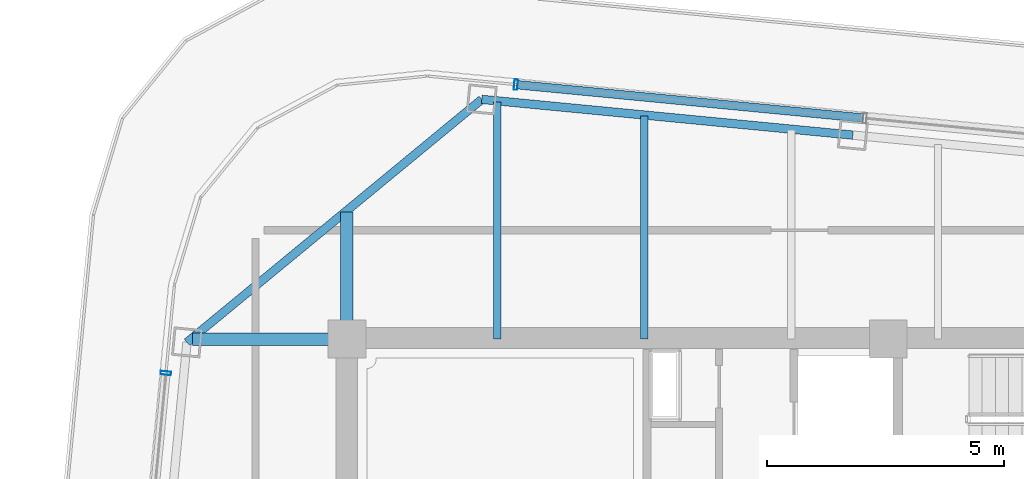
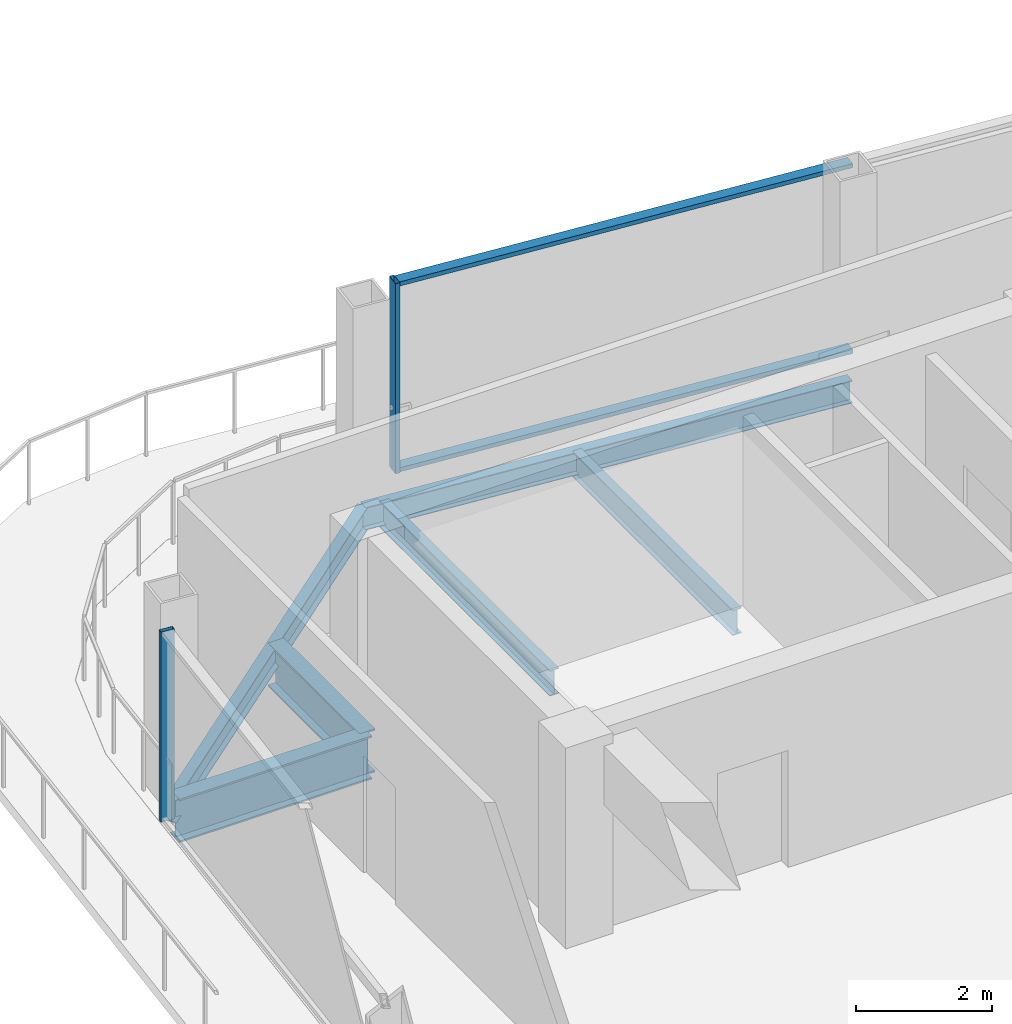
# One storey, part 11 of 23: 6 beams, 4 members, 2 elements without a shape of their own.
"""IFC4 building model written with IfcOpenShell, lengths in metres."""

from ifc_helpers import new_model, si_unit, direction, frame, origin, origin_2d, place, context, subcontext, project, spatial, hollow_rectangle, i_section, extrude, material, layer, layer_set, material_profile, profile_set, type_object, element, aggregate, save


model = new_model("IFC4")

# Units and contexts
model_context = context("Model", 3, precision=1e-05, world=origin(), true_north=direction((0.0, 1.0)))
body_context = subcontext(model_context, "Body", "Model", "MODEL_VIEW")
ifc_project = project(units=[si_unit("LENGTHUNIT", "METRE"), si_unit("AREAUNIT", "SQUARE_METRE"), si_unit("VOLUMEUNIT", "CUBIC_METRE"), si_unit("PLANEANGLEUNIT", "RADIAN"), si_unit("MASSUNIT", "GRAM", prefix="KILO")], contexts=[model_context])

# Site, building, storey
site_placement = place(None, origin())
site = spatial("IfcSite", under=ifc_project, at=site_placement, CompositionType="ELEMENT")
building_placement = place(site_placement, origin())
building = spatial("IfcBuilding", under=site, at=building_placement, Name="Qhalaya Broadcast Tower", CompositionType="ELEMENT")
storey_placement = place(building_placement, frame((0.0, 0.0, 276.949951171875)))
storey = spatial("IfcBuildingStorey", under=building, at=storey_placement, Name="L82", CompositionType="ELEMENT", Elevation=276.949951171875)

# Beams
ifc_material_1 = material(Name="Structural Steel ASTM A992 Grade 50", Category="steel")
ifc_material_profile_1 = material_profile(ifc_material_1, i_section(OverallWidth=0.154052734375, OverallDepth=0.458984375, WebThickness=0.009033203125, FlangeThickness=0.015380859375, at=origin_2d()), Name="W18X46")
ifc_profile_set_1 = profile_set([ifc_material_profile_1], Name="Structural Steel ASTM A992 Grade 50")
beam_type_1 = type_object("IfcBeamType", Name="Composite Floor Joist J04", PredefinedType="JOIST", material=ifc_profile_set_1)
beam_1_placement = place(storey_placement, frame((-6.199951171875, 9.949951171875, -0.41943359375), z_axis=(0.0, 1.0, 0.0), x_axis=(-1.0, 0.0, 0.0)))
element("IfcBeam", 1, at=beam_1_placement, inside=storey, type_object=beam_type_1, Name="L82 J04 L82-JNN1-1", PredefinedType="JOIST", context=body_context, shape_type="SweptSolid", body=[
    extrude(i_section(OverallWidth=0.154052734375, OverallDepth=0.458984375, WebThickness=0.009033203125, FlangeThickness=0.015380859375, at=origin_2d()), origin(), (0.0, 0.0, 1.0), 5.0087890625),
])
beam_2_placement = place(storey_placement, frame((-3.10009765625, 9.949951171875, -0.41943359375), z_axis=(0.0, 1.0, 0.0), x_axis=(-1.0, 0.0, 0.0)))
element("IfcBeam", 2, at=beam_2_placement, inside=storey, type_object=beam_type_1, Name="L82 J04 L82-JNN2-1", PredefinedType="JOIST", context=body_context, shape_type="SweptSolid", body=[
    extrude(i_section(OverallWidth=0.154052734375, OverallDepth=0.458984375, WebThickness=0.009033203125, FlangeThickness=0.015380859375, at=origin_2d()), origin(), (0.0, 0.0, 1.0), 4.710205078125),
])
ifc_material_profile_2 = material_profile(ifc_material_1, i_section(OverallWidth=0.26708984375, OverallDepth=0.780029296875, WebThickness=0.0166015625, FlangeThickness=0.030029296875, at=origin_2d()), Name="W30X148")
ifc_profile_set_2 = profile_set([ifc_material_profile_2], Name="Structural Steel ASTM A992 Grade 50")
beam_type_2 = type_object("IfcBeamType", Name="Neck & Crown Primary Girder PG5", PredefinedType="USERDEFINED", material=ifc_profile_set_2)
beam_3_placement = place(storey_placement, frame((-9.375, 9.949951171875, -0.579833984375), z_axis=(0.0, 1.0, 0.0), x_axis=(-1.0, 0.0, 0.0)))
element("IfcBeam", 3, at=beam_3_placement, inside=storey, type_object=beam_type_2, Name="L82 PG5 L82-PGXN1-1", ObjectType="GIRDER", PredefinedType="USERDEFINED", context=body_context, shape_type="SweptSolid", body=[
    extrude(i_section(OverallWidth=0.26708984375, OverallDepth=0.780029296875, WebThickness=0.0166015625, FlangeThickness=0.030029296875, at=origin_2d()), origin(), (0.0, 0.0, 1.0), 2.68798828125),
])
beam_4_placement = place(storey_placement, frame((-12.6357421875, 9.949951171875, -0.579833984375), z_axis=(1.0, 0.0, 0.0), x_axis=(0.0, 1.0, 0.0)))
element("IfcBeam", 4, at=beam_4_placement, inside=storey, type_object=beam_type_2, Name="L82 PG5 L82-PGYW4-1", ObjectType="GIRDER", PredefinedType="USERDEFINED", context=body_context, shape_type="SweptSolid", body=[
    extrude(i_section(OverallWidth=0.26708984375, OverallDepth=0.780029296875, WebThickness=0.0166015625, FlangeThickness=0.030029296875, at=origin_2d()), origin(), (0.0, 0.0, 1.0), 3.2607421875),
])

# Curtain wall, member
ifc_material_2 = material(Name="Solar-Control Low-E Triple Glazing", Category="glass")
ifc_layer = layer(ifc_material_2, 0.219970703125, Name="Solar-Control Low-E Triple Glazing")
ifc_layer_set = layer_set([ifc_layer], Name="Solar-Control Low-E Triple Glazing")
curtain_wall_type = type_object("IfcCurtainWallType", Name="Crown Garden & Observation Windscreen Curtain Wall CW-06", PredefinedType="NOTDEFINED", material=ifc_layer_set)
curtain_wall_1_placement = place(storey_placement, origin())
curtain_wall_1 = element("IfcCurtainWall", 5, at=curtain_wall_1_placement, inside=storey, type_object=curtain_wall_type, Name="L82 Unitised Curtain Wall L82-CW-N", PredefinedType="NOTDEFINED")
ifc_material_3 = material(Name="Anodised Aluminium 6063-T6", Category="aluminium")
ifc_material_profile_3 = material_profile(ifc_material_3, hollow_rectangle(XDim=0.074951171875, YDim=0.219970703125, WallThickness=0.00390625, at=origin_2d()), Name="ALU-MUL 75x220x4")
ifc_profile_set_3 = profile_set([ifc_material_profile_3], Name="Anodised Aluminium 6063-T6")
member_type_1 = type_object("IfcMemberType", Name="Unitised Curtain-Wall Mullion M01", PredefinedType="MULLION", material=ifc_profile_set_3)
member_1_placement = place(storey_placement, frame((-5.8076171875, 15.32275390625, 0.0), z_axis=(0.0, 0.0, 1.0), x_axis=(-0.995396013928, 0.095847667974, 0.0)))
member_1 = element("IfcMember", 6, at=member_1_placement, type_object=member_type_1, Name="CW-06 mullion 4", PredefinedType="MULLION", context=body_context, shape_type="SweptSolid", body=[
    extrude(hollow_rectangle(XDim=0.074951171875, YDim=0.219970703125, WallThickness=0.00390625, at=origin_2d()), origin(), (0.0, 0.0, 1.0), 3.41015625),
])

curtain_wall_2_placement = place(storey_placement, origin())
curtain_wall_2 = element("IfcCurtainWall", 7, at=curtain_wall_2_placement, inside=storey, type_object=curtain_wall_type, Name="L82 Unitised Curtain Wall L82-CW-W", PredefinedType="NOTDEFINED")
member_2_placement = place(storey_placement, frame((-13.192626953125, 9.235107421875, 0.0), z_axis=(0.0, 0.0, 1.0), x_axis=(-0.095847667974, -0.995396013928, 0.0)))
member_2 = element("IfcMember", 8, at=member_2_placement, type_object=member_type_1, Name="CW-06 mullion 1", PredefinedType="MULLION", context=body_context, shape_type="SweptSolid", body=[
    extrude(hollow_rectangle(XDim=0.074951171875, YDim=0.219970703125, WallThickness=0.00390625, at=origin_2d()), origin(), (0.0, 0.0, 1.0), 3.41015625),
])
aggregate(curtain_wall_2, [member_2])

# Member
ifc_material_profile_4 = material_profile(ifc_material_3, hollow_rectangle(XDim=0.074951171875, YDim=0.179931640625, WallThickness=0.00390625, at=origin_2d()), Name="ALU-TRN 75x180x4")
ifc_profile_set_4 = profile_set([ifc_material_profile_4], Name="Anodised Aluminium 6063-T6")
member_type_2 = type_object("IfcMemberType", Name="Unitised Curtain-Wall Transom T01", PredefinedType="USERDEFINED", material=ifc_profile_set_4)
member_3_placement = place(storey_placement, frame((1.516845703125, 14.617431640625, 0.03759765625), z_axis=(-0.995396311348, 0.095844579162, 0.0), x_axis=(0.0, 0.0, 1.0)))
member_3 = element("IfcMember", 9, at=member_3_placement, type_object=member_type_2, Name="CW-06 transom 3.1", ObjectType="TRANSOM", PredefinedType="USERDEFINED", context=body_context, shape_type="SweptSolid", body=[
    extrude(hollow_rectangle(XDim=0.074951171875, YDim=0.179931640625, WallThickness=0.00390625, at=origin_2d()), origin(), (0.0, 0.0, 1.0), 7.32080078125),
])

member_4_placement = place(storey_placement, frame((1.516845703125, 14.617431640625, 3.37255859375), z_axis=(-0.995396311348, 0.095844579162, 0.0), x_axis=(0.0, 0.0, 1.0)))
member_4 = element("IfcMember", 10, at=member_4_placement, type_object=member_type_2, Name="CW-06 transom 3.2", ObjectType="TRANSOM", PredefinedType="USERDEFINED", context=body_context, shape_type="SweptSolid", body=[
    extrude(hollow_rectangle(XDim=0.074951171875, YDim=0.179931640625, WallThickness=0.00390625, at=origin_2d()), origin(), (0.0, 0.0, 1.0), 7.32080078125),
])

aggregate(curtain_wall_1, [member_1, member_3, member_4])

# Beams
ifc_material_profile_5 = material_profile(ifc_material_1, i_section(OverallWidth=0.177978515625, OverallDepth=0.406005859375, WebThickness=0.0078125, FlangeThickness=0.0126953125, at=origin_2d()), Name="W16X40")
ifc_profile_set_5 = profile_set([ifc_material_profile_5], Name="Structural Steel ASTM A992 Grade 50")
beam_type_3 = type_object("IfcBeamType", Name="Upper Perimeter Spandrel Beam SP2", PredefinedType="SPANDREL", material=ifc_profile_set_5)
beam_5_placement = place(storey_placement, frame((1.302001953125, 14.25634765625, -0.39306640625), z_axis=(-0.995394062251, 0.095867934346, 0.0), x_axis=(-0.095867934346, -0.995394062251, 0.0)))
element("IfcBeam", 11, at=beam_5_placement, inside=storey, type_object=beam_type_3, Name="L82 SP2 L82-SPR-11", PredefinedType="SPANDREL", context=body_context, shape_type="SweptSolid", body=[
    extrude(i_section(OverallWidth=0.177978515625, OverallDepth=0.406005859375, WebThickness=0.0078125, FlangeThickness=0.0126953125, at=origin_2d()), origin(), (0.0, 0.0, 1.0), 7.866455078125),
])
beam_6_placement = place(storey_placement, frame((-6.5283203125, 15.010498046875, -0.39306640625), z_axis=(-0.771631160126, -0.636070241972, 0.0), x_axis=(0.636070241972, -0.771631160126, 0.0)))
element("IfcBeam", 12, at=beam_6_placement, inside=storey, type_object=beam_type_3, Name="L82 SP2 L82-SPR-12", PredefinedType="SPANDREL", context=body_context, shape_type="SweptSolid", body=[
    extrude(i_section(OverallWidth=0.177978515625, OverallDepth=0.406005859375, WebThickness=0.0078125, FlangeThickness=0.0126953125, at=origin_2d()), origin(), (0.0, 0.0, 1.0), 8.06103515625),
])

save(model, "model.ifc")
